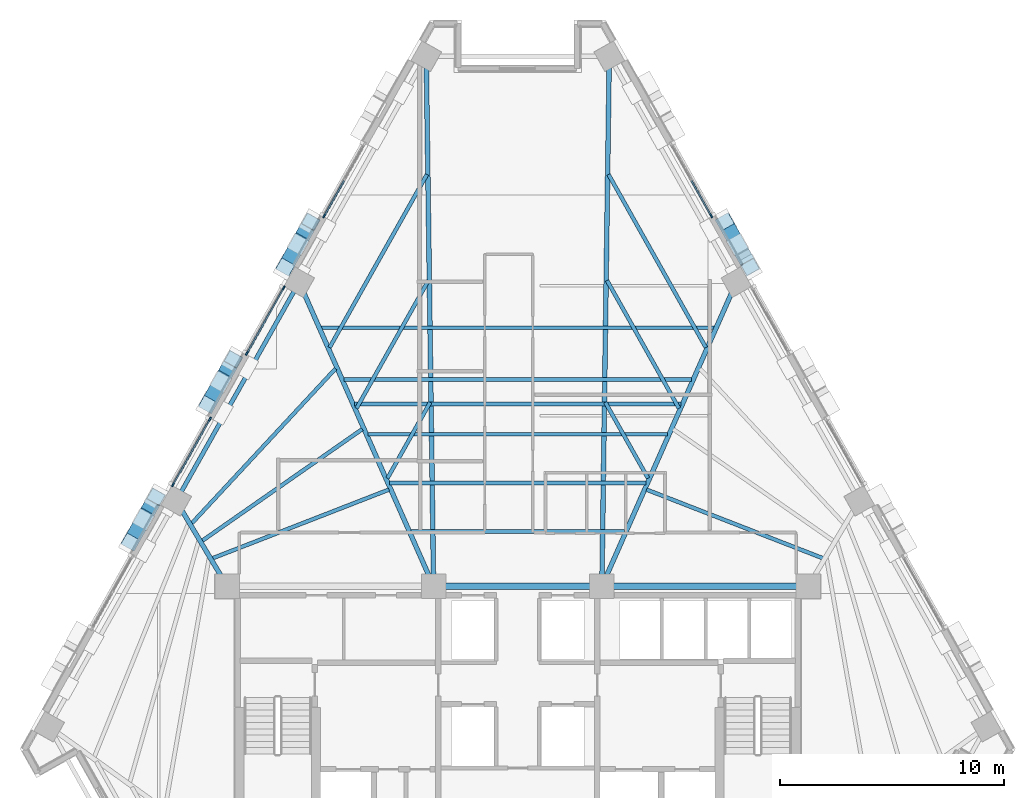
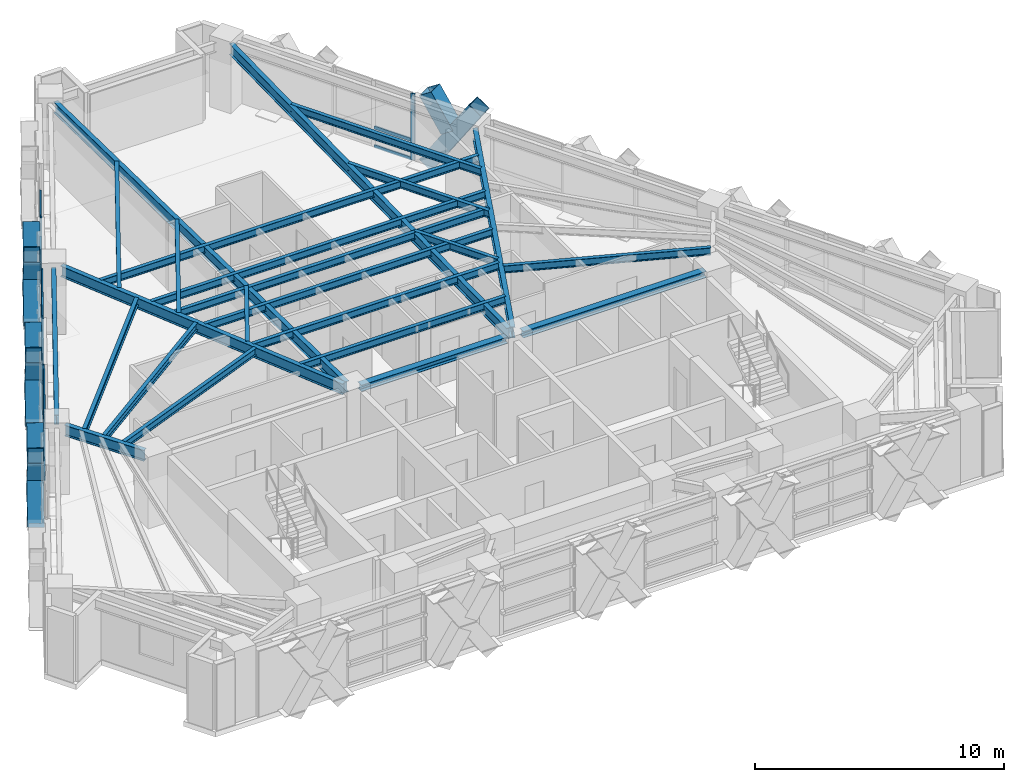
# One storey, part 3 of 14: 28 members, 24 beams, 4 elements without a shape of their own.
"""IFC4 building model written with IfcOpenShell, lengths in metres."""

from ifc_helpers import new_model, si_unit, direction, frame, origin, origin_2d, place, context, subcontext, project, spatial, rectangle, hollow_rectangle, i_section, extrude, material, material_profile, profile_set, type_object, element, aggregate, save


model = new_model("IFC4")

# Units and contexts
model_context = context("Model", 3, precision=1e-05, world=origin(), true_north=direction((0.0, 1.0)))
body_context = subcontext(model_context, "Body", "Model", "MODEL_VIEW")
ifc_project = project(units=[si_unit("LENGTHUNIT", "METRE"), si_unit("AREAUNIT", "SQUARE_METRE"), si_unit("VOLUMEUNIT", "CUBIC_METRE"), si_unit("PLANEANGLEUNIT", "RADIAN"), si_unit("MASSUNIT", "GRAM", prefix="KILO")], contexts=[model_context])

# Site, building, storey
site_placement = place(None, origin())
site = spatial("IfcSite", under=ifc_project, at=site_placement, CompositionType="ELEMENT")
building_placement = place(site_placement, origin())
building = spatial("IfcBuilding", under=site, at=building_placement, Name="Quenlor Broadcast Tower", CompositionType="ELEMENT")
storey_placement = place(building_placement, frame((0.0, 0.0, 144.0)))
storey = spatial("IfcBuildingStorey", under=building, at=storey_placement, Name="L39", CompositionType="ELEMENT", Elevation=144.0)

# Curtain wall, member
ifc_material_1 = material(Name="Architectural Terracotta and Low-E Glazing", Category="masonry")
curtain_wall_type = type_object("IfcCurtainWallType", Name="Unitised Terracotta Curtain Wall System Z3", PredefinedType="NOTDEFINED", material=ifc_material_1)
curtain_wall_1_placement = place(storey_placement, origin())
curtain_wall_1 = element("IfcCurtainWall", 1, at=curtain_wall_1_placement, inside=storey, type_object=curtain_wall_type, Name="L39 Curtain Wall CW3 (L39-NEA-G1)", PredefinedType="NOTDEFINED")
ifc_material_2 = material(Name="Aluminium 6063-T6", Category="aluminium")
ifc_material_profile_1 = material_profile(ifc_material_2, rectangle(XDim=0.070068359375, YDim=0.18994140625, at=origin_2d()))
ifc_profile_set_1 = profile_set([ifc_material_profile_1], Name="Aluminium 6063-T6 MULL70x190")
member_type_1 = type_object("IfcMemberType", Name="CW3 Aluminium Mullion MULL_CW3", PredefinedType="MULLION", material=ifc_profile_set_1)
member_1_placement = place(storey_placement, frame((8.62353515625, 11.71240234375, 0.0), z_axis=(0.0, 0.0, 1.0), x_axis=(0.871570530637, 0.490270139949, 0.0)))
member_1 = element("IfcMember", 2, at=member_1_placement, type_object=member_type_1, Name="CW3 mullion 3", PredefinedType="MULLION", context=body_context, shape_type="SweptSolid", body=[
    extrude(rectangle(XDim=0.070068359375, YDim=0.18994140625, at=origin_2d()), origin(), (0.0, 0.0, 1.0), 3.25),
])

curtain_wall_2_placement = place(storey_placement, origin())
curtain_wall_2 = element("IfcCurtainWall", 3, at=curtain_wall_2_placement, inside=storey, type_object=curtain_wall_type, Name="L39 Curtain Wall CW3 (L39-NWC-G1)", PredefinedType="NOTDEFINED")
member_2_placement = place(storey_placement, frame((-8.62353515625, 11.71240234375, 0.0), z_axis=(0.0, 0.0, 1.0), x_axis=(-0.871570530637, 0.490270139949, 0.0)))
member_2 = element("IfcMember", 4, at=member_2_placement, type_object=member_type_1, Name="CW3 mullion 1", PredefinedType="MULLION", context=body_context, shape_type="SweptSolid", body=[
    extrude(rectangle(XDim=0.070068359375, YDim=0.18994140625, at=origin_2d()), origin(), (0.0, 0.0, 1.0), 3.25),
])

# Curtain wall, members
curtain_wall_3_placement = place(storey_placement, origin())
curtain_wall_3 = element("IfcCurtainWall", 5, at=curtain_wall_3_placement, inside=storey, type_object=curtain_wall_type, Name="L39 Curtain Wall CW3 (L39-NW-G1)", PredefinedType="NOTDEFINED")
member_3_placement = place(storey_placement, frame((-15.365966796875, -0.274169921875, 0.0), z_axis=(0.0, 0.0, 1.0), x_axis=(-0.871571633105, 0.490268180048, 0.0)))
member_3 = element("IfcMember", 6, at=member_3_placement, type_object=member_type_1, Name="CW3 mullion 1", PredefinedType="MULLION", context=body_context, shape_type="SweptSolid", body=[
    extrude(rectangle(XDim=0.070068359375, YDim=0.18994140625, at=origin_2d()), origin(), (0.0, 0.0, 1.0), 3.25),
])
member_4_placement = place(storey_placement, frame((-13.723388671875, 2.64599609375, 0.0), z_axis=(0.0, 0.0, 1.0), x_axis=(-0.871571633105, 0.490268180048, 0.0)))
member_4 = element("IfcMember", 7, at=member_4_placement, type_object=member_type_1, Name="CW3 mullion 2", PredefinedType="MULLION", context=body_context, shape_type="SweptSolid", body=[
    extrude(rectangle(XDim=0.070068359375, YDim=0.18994140625, at=origin_2d()), origin(), (0.0, 0.0, 1.0), 3.25),
])

curtain_wall_4_placement = place(storey_placement, origin())
curtain_wall_4 = element("IfcCurtainWall", 8, at=curtain_wall_4_placement, inside=storey, type_object=curtain_wall_type, Name="L39 Curtain Wall CW3 (L39-NW-G2)", PredefinedType="NOTDEFINED")
member_5_placement = place(storey_placement, frame((-12.071533203125, 5.582275390625, 0.0), z_axis=(0.0, 0.0, 1.0), x_axis=(-0.871578660222, 0.490255687418, 0.0)))
member_5 = element("IfcMember", 9, at=member_5_placement, type_object=member_type_1, Name="CW3 mullion 1", PredefinedType="MULLION", context=body_context, shape_type="SweptSolid", body=[
    extrude(rectangle(XDim=0.070068359375, YDim=0.18994140625, at=origin_2d()), origin(), (0.0, 0.0, 1.0), 3.25),
])
member_6_placement = place(storey_placement, frame((-10.428955078125, 8.50244140625, 0.0), z_axis=(0.0, 0.0, 1.0), x_axis=(-0.871578660222, 0.490255687418, 0.0)))
member_6 = element("IfcMember", 10, at=member_6_placement, type_object=member_type_1, Name="CW3 mullion 2", PredefinedType="MULLION", context=body_context, shape_type="SweptSolid", body=[
    extrude(rectangle(XDim=0.070068359375, YDim=0.18994140625, at=origin_2d()), origin(), (0.0, 0.0, 1.0), 3.25),
])

# Member
ifc_material_3 = material(Name="Aluminium 6063-T6", Category="aluminium")
ifc_material_profile_2 = material_profile(ifc_material_3, rectangle(XDim=0.070068359375, YDim=0.155029296875, at=origin_2d()))
ifc_profile_set_2 = profile_set([ifc_material_profile_2], Name="Aluminium 6063-T6 TRAN70x155")
member_type_2 = type_object("IfcMemberType", Name="CW3 Aluminium Transom TRAN_CW3", PredefinedType="USERDEFINED", material=ifc_profile_set_2)
member_7_placement = place(storey_placement, frame((7.742431640625, 13.278564453125, 0.034912109375), z_axis=(0.490353334151, -0.871523727553, 0.0), x_axis=(0.871523727553, 0.490353334151, 0.0)))
member_7 = element("IfcMember", 11, at=member_7_placement, type_object=member_type_2, Name="CW3 transom 2.1", ObjectType="TRANSOM", PredefinedType="USERDEFINED", context=body_context, shape_type="SweptSolid", body=[
    extrude(rectangle(XDim=0.070068359375, YDim=0.155029296875, at=origin_2d()), origin(), (0.0, 0.0, 1.0), 1.761962890625),
])

member_8_placement = place(storey_placement, frame((7.742431640625, 13.278564453125, 0.949951171875), z_axis=(0.490353334151, -0.871523727553, 0.0), x_axis=(0.871523727553, 0.490353334151, 0.0)))
member_8 = element("IfcMember", 12, at=member_8_placement, type_object=member_type_2, Name="CW3 transom 2.2", ObjectType="TRANSOM", PredefinedType="USERDEFINED", context=body_context, shape_type="SweptSolid", body=[
    extrude(rectangle(XDim=0.070068359375, YDim=0.155029296875, at=origin_2d()), origin(), (0.0, 0.0, 1.0), 1.761962890625),
])

aggregate(curtain_wall_1, [member_1, member_7, member_8])

member_9_placement = place(storey_placement, frame((-8.6064453125, 11.742919921875, 0.034912109375), z_axis=(0.490353334151, 0.871523727553, 0.0), x_axis=(-0.871523727553, 0.490353334151, 0.0)))
member_9 = element("IfcMember", 13, at=member_9_placement, type_object=member_type_2, Name="CW3 transom 1.1", ObjectType="TRANSOM", PredefinedType="USERDEFINED", context=body_context, shape_type="SweptSolid", body=[
    extrude(rectangle(XDim=0.070068359375, YDim=0.155029296875, at=origin_2d()), origin(), (0.0, 0.0, 1.0), 1.761962890625),
])

member_10_placement = place(storey_placement, frame((-8.6064453125, 11.742919921875, 0.949951171875), z_axis=(0.490353334151, 0.871523727553, 0.0), x_axis=(-0.871523727553, 0.490353334151, 0.0)))
member_10 = element("IfcMember", 14, at=member_10_placement, type_object=member_type_2, Name="CW3 transom 1.2", ObjectType="TRANSOM", PredefinedType="USERDEFINED", context=body_context, shape_type="SweptSolid", body=[
    extrude(rectangle(XDim=0.070068359375, YDim=0.155029296875, at=origin_2d()), origin(), (0.0, 0.0, 1.0), 1.761962890625),
])

member_11_placement = place(storey_placement, frame((-8.6064453125, 11.742919921875, 3.215087890625), z_axis=(0.490353334151, 0.871523727553, 0.0), x_axis=(-0.871523727553, 0.490353334151, 0.0)))
member_11 = element("IfcMember", 15, at=member_11_placement, type_object=member_type_2, Name="CW3 transom 1.3", ObjectType="TRANSOM", PredefinedType="USERDEFINED", context=body_context, shape_type="SweptSolid", body=[
    extrude(rectangle(XDim=0.070068359375, YDim=0.155029296875, at=origin_2d()), origin(), (0.0, 0.0, 1.0), 1.761962890625),
])

aggregate(curtain_wall_2, [member_2, member_9, member_10, member_11])

member_12_placement = place(storey_placement, frame((-15.348876953125, -0.24365234375, 0.034912109375), z_axis=(0.490293039863, 0.871557648731, 0.0), x_axis=(-0.871557648731, 0.490293039863, 0.0)))
member_12 = element("IfcMember", 16, at=member_12_placement, type_object=member_type_2, Name="CW3 transom 1.1", ObjectType="TRANSOM", PredefinedType="USERDEFINED", context=body_context, shape_type="SweptSolid", body=[
    extrude(rectangle(XDim=0.070068359375, YDim=0.155029296875, at=origin_2d()), origin(), (0.0, 0.0, 1.0), 3.280517578125),
])

member_13_placement = place(storey_placement, frame((-15.348876953125, -0.24365234375, 0.949951171875), z_axis=(0.490293039863, 0.871557648731, 0.0), x_axis=(-0.871557648731, 0.490293039863, 0.0)))
member_13 = element("IfcMember", 17, at=member_13_placement, type_object=member_type_2, Name="CW3 transom 1.2", ObjectType="TRANSOM", PredefinedType="USERDEFINED", context=body_context, shape_type="SweptSolid", body=[
    extrude(rectangle(XDim=0.070068359375, YDim=0.155029296875, at=origin_2d()), origin(), (0.0, 0.0, 1.0), 3.280517578125),
])

member_14_placement = place(storey_placement, frame((-15.348876953125, -0.24365234375, 3.215087890625), z_axis=(0.490293039863, 0.871557648731, 0.0), x_axis=(-0.871557648731, 0.490293039863, 0.0)))
member_14 = element("IfcMember", 18, at=member_14_placement, type_object=member_type_2, Name="CW3 transom 1.3", ObjectType="TRANSOM", PredefinedType="USERDEFINED", context=body_context, shape_type="SweptSolid", body=[
    extrude(rectangle(XDim=0.070068359375, YDim=0.155029296875, at=origin_2d()), origin(), (0.0, 0.0, 1.0), 3.280517578125),
])

aggregate(curtain_wall_3, [member_3, member_4, member_12, member_13, member_14])

member_15_placement = place(storey_placement, frame((-12.054443359375, 5.61279296875, 0.034912109375), z_axis=(0.490236504766, 0.871589450025, 0.0), x_axis=(-0.871589450025, 0.490236504766, 0.0)))
member_15 = element("IfcMember", 19, at=member_15_placement, type_object=member_type_2, Name="CW3 transom 1.1", ObjectType="TRANSOM", PredefinedType="USERDEFINED", context=body_context, shape_type="SweptSolid", body=[
    extrude(rectangle(XDim=0.070068359375, YDim=0.155029296875, at=origin_2d()), origin(), (0.0, 0.0, 1.0), 3.2802734375),
])

member_16_placement = place(storey_placement, frame((-12.054443359375, 5.61279296875, 0.949951171875), z_axis=(0.490236504766, 0.871589450025, 0.0), x_axis=(-0.871589450025, 0.490236504766, 0.0)))
member_16 = element("IfcMember", 20, at=member_16_placement, type_object=member_type_2, Name="CW3 transom 1.2", ObjectType="TRANSOM", PredefinedType="USERDEFINED", context=body_context, shape_type="SweptSolid", body=[
    extrude(rectangle(XDim=0.070068359375, YDim=0.155029296875, at=origin_2d()), origin(), (0.0, 0.0, 1.0), 3.2802734375),
])

member_17_placement = place(storey_placement, frame((-12.054443359375, 5.61279296875, 3.215087890625), z_axis=(0.490236504766, 0.871589450025, 0.0), x_axis=(-0.871589450025, 0.490236504766, 0.0)))
member_17 = element("IfcMember", 21, at=member_17_placement, type_object=member_type_2, Name="CW3 transom 1.3", ObjectType="TRANSOM", PredefinedType="USERDEFINED", context=body_context, shape_type="SweptSolid", body=[
    extrude(rectangle(XDim=0.070068359375, YDim=0.155029296875, at=origin_2d()), origin(), (0.0, 0.0, 1.0), 3.2802734375),
])

aggregate(curtain_wall_4, [member_5, member_6, member_15, member_16, member_17])

# Beams
ifc_material_4 = material(Name="Steel S355", Category="steel")
ifc_material_profile_3 = material_profile(ifc_material_4, i_section(OverallWidth=0.304931640625, OverallDepth=0.30810546875, WebThickness=0.010009765625, FlangeThickness=0.015380859375, FilletRadius=0.0166015625, at=origin_2d()))
ifc_profile_set_3 = profile_set([ifc_material_profile_3], Name="Steel S355 310UC96.8")
beam_type_1 = type_object("IfcBeamType", Name="Core Header Beam Steel S355 310UC96.8", PredefinedType="BEAM", material=ifc_profile_set_3)
beam_1_placement = place(storey_placement, frame((-3.389892578125, -4.800048828125, 3.095947265625), z_axis=(1.0, 0.0, 0.0), x_axis=(0.0, 1.0, 0.0)))
element("IfcBeam", 22, at=beam_1_placement, inside=storey, type_object=beam_type_1, Name="L39 Core Header Beam 2", PredefinedType="BEAM", context=body_context, shape_type="SweptSolid", body=[
    extrude(i_section(OverallWidth=0.304931640625, OverallDepth=0.30810546875, WebThickness=0.010009765625, FlangeThickness=0.015380859375, FilletRadius=0.0166015625, at=origin_2d()), origin(), (0.0, 0.0, 1.0), 6.77978515625),
])
ifc_material_5 = material(Name="Steel S355", Category="steel")
ifc_material_profile_4 = material_profile(ifc_material_5, i_section(OverallWidth=0.306884765625, OverallDepth=0.314697265625, WebThickness=0.011962890625, FlangeThickness=0.018798828125, FilletRadius=0.0166015625, at=origin_2d()))
ifc_profile_set_4 = profile_set([ifc_material_profile_4], Name="Steel S355 310UC118")
beam_type_2 = type_object("IfcBeamType", Name="Core Tie Beam Steel S355 310UC118", PredefinedType="BEAM", material=ifc_profile_set_4)
beam_2_placement = place(storey_placement, frame((4.110107421875, -4.800048828125, 3.0927734375), z_axis=(1.0, 0.0, 0.0), x_axis=(0.0, 1.0, 0.0)))
element("IfcBeam", 23, at=beam_2_placement, inside=storey, type_object=beam_type_2, Name="L39 Core Tie Beam 3", PredefinedType="BEAM", context=body_context, shape_type="SweptSolid", body=[
    extrude(i_section(OverallWidth=0.306884765625, OverallDepth=0.314697265625, WebThickness=0.011962890625, FlangeThickness=0.018798828125, FilletRadius=0.0166015625, at=origin_2d()), origin(), (0.0, 0.0, 1.0), 8.47998046875),
])

# Members
ifc_material_6 = material(Name="Steel S355", Category="steel")
ifc_material_profile_5 = material_profile(ifc_material_6, hollow_rectangle(XDim=0.679931640625, YDim=0.679931640625, WallThickness=0.02490234375, at=origin_2d()))
ifc_profile_set_5 = profile_set([ifc_material_profile_5], Name="Steel S355 RHS680x680x25")
member_type_3 = type_object("IfcMemberType", Name="Perimeter Diagonal Lattice Brace Z3-Z4 Steel S355 RHS680x25", PredefinedType="BRACE", material=ifc_profile_set_5)
member_18_placement = place(storey_placement, frame((9.225830078125, 11.447265625, -0.1201171875), z_axis=(0.27060310517, -0.481001091283, 0.833913610428), x_axis=(0.871544572467, 0.490316283845, 0.0)))
element("IfcMember", 24, at=member_18_placement, inside=storey, type_object=member_type_3, Name="L39 Perimeter Diamond Lattice NE-C2XA", PredefinedType="BRACE", context=body_context, shape_type="SweptSolid", body=[
    extrude(hollow_rectangle(XDim=0.679931640625, YDim=0.679931640625, WallThickness=0.02490234375, at=origin_2d()), origin(), (0.0, 0.0, 1.0), 4.197021484375),
])
member_19_placement = place(storey_placement, frame((9.72607421875, 10.55810546875, 1.83837890625), z_axis=(-0.270616433058, 0.481007832697, 0.833905396938), x_axis=(-0.871537189362, -0.490329407194, 0.0)))
element("IfcMember", 25, at=member_19_placement, inside=storey, type_object=member_type_3, Name="L39 Perimeter Diamond Lattice NE-C2XB2", PredefinedType="BRACE", context=body_context, shape_type="SweptSolid", body=[
    extrude(hollow_rectangle(XDim=0.679931640625, YDim=0.679931640625, WallThickness=0.02490234375, at=origin_2d()), origin(), (0.0, 0.0, 1.0), 1.8486328125),
])
member_20_placement = place(storey_placement, frame((-17.257568359375, -2.83154296875, -0.1201171875), z_axis=(0.2705491942, 0.481008661973, 0.833926735766), x_axis=(-0.871589611547, 0.490236217596, 0.0)))
element("IfcMember", 26, at=member_20_placement, inside=storey, type_object=member_type_3, Name="L39 Perimeter Diamond Lattice NW-C2XA", PredefinedType="BRACE", context=body_context, shape_type="SweptSolid", body=[
    extrude(hollow_rectangle(XDim=0.679931640625, YDim=0.679931640625, WallThickness=0.02490234375, at=origin_2d()), origin(), (0.0, 0.0, 1.0), 4.197021484375),
])
member_21_placement = place(storey_placement, frame((-16.1220703125, -0.812744140625, -0.1201171875), z_axis=(-0.270616433058, -0.481007832697, 0.833905396938), x_axis=(0.871537189362, -0.490329407194, 0.0)))
element("IfcMember", 27, at=member_21_placement, inside=storey, type_object=member_type_3, Name="L39 Perimeter Diamond Lattice NW-C2XB1", PredefinedType="BRACE", context=body_context, shape_type="SweptSolid", body=[
    extrude(hollow_rectangle(XDim=0.679931640625, YDim=0.679931640625, WallThickness=0.02490234375, at=origin_2d()), origin(), (0.0, 0.0, 1.0), 1.8486328125),
])
member_22_placement = place(storey_placement, frame((-16.757568359375, -1.9423828125, 1.83837890625), z_axis=(-0.270494026149, -0.481025021111, 0.833935195853), x_axis=(0.871639445711, -0.490147607034, 0.0)))
element("IfcMember", 28, at=member_22_placement, inside=storey, type_object=member_type_3, Name="L39 Perimeter Diamond Lattice NW-C2XB2", PredefinedType="BRACE", context=body_context, shape_type="SweptSolid", body=[
    extrude(hollow_rectangle(XDim=0.679931640625, YDim=0.679931640625, WallThickness=0.02490234375, at=origin_2d()), origin(), (0.0, 0.0, 1.0), 1.848388671875),
])
member_23_placement = place(storey_placement, frame((-13.8095703125, 3.298583984375, -0.1201171875), z_axis=(0.270556764115, 0.480963948764, 0.833950068878), x_axis=(-0.871564276035, 0.49028125881, 0.0)))
element("IfcMember", 29, at=member_23_placement, inside=storey, type_object=member_type_3, Name="L39 Perimeter Diamond Lattice NW-C3XA", PredefinedType="BRACE", context=body_context, shape_type="SweptSolid", body=[
    extrude(hollow_rectangle(XDim=0.679931640625, YDim=0.679931640625, WallThickness=0.02490234375, at=origin_2d()), origin(), (0.0, 0.0, 1.0), 4.19677734375),
])
member_24_placement = place(storey_placement, frame((-12.674072265625, 5.317138671875, -0.1201171875), z_axis=(-0.270616433058, -0.481007832697, 0.833905396938), x_axis=(0.871537189362, -0.490329407194, 0.0)))
element("IfcMember", 30, at=member_24_placement, inside=storey, type_object=member_type_3, Name="L39 Perimeter Diamond Lattice NW-C3XB1", PredefinedType="BRACE", context=body_context, shape_type="SweptSolid", body=[
    extrude(hollow_rectangle(XDim=0.679931640625, YDim=0.679931640625, WallThickness=0.02490234375, at=origin_2d()), origin(), (0.0, 0.0, 1.0), 1.8486328125),
])
member_25_placement = place(storey_placement, frame((-13.309326171875, 4.1875, 1.83837890625), z_axis=(-0.270633624024, -0.480906307989, 0.833958370954), x_axis=(0.871479637717, -0.49043168846, 0.0)))
element("IfcMember", 31, at=member_25_placement, inside=storey, type_object=member_type_3, Name="L39 Perimeter Diamond Lattice NW-C3XB2", PredefinedType="BRACE", context=body_context, shape_type="SweptSolid", body=[
    extrude(hollow_rectangle(XDim=0.679931640625, YDim=0.679931640625, WallThickness=0.02490234375, at=origin_2d()), origin(), (0.0, 0.0, 1.0), 1.848388671875),
])
member_26_placement = place(storey_placement, frame((-10.361572265625, 9.428466796875, -0.1201171875), z_axis=(0.27060310517, 0.481001091283, 0.833913610428), x_axis=(-0.871544572467, 0.490316283845, 0.0)))
element("IfcMember", 32, at=member_26_placement, inside=storey, type_object=member_type_3, Name="L39 Perimeter Diamond Lattice NW-C4XA", PredefinedType="BRACE", context=body_context, shape_type="SweptSolid", body=[
    extrude(hollow_rectangle(XDim=0.679931640625, YDim=0.679931640625, WallThickness=0.02490234375, at=origin_2d()), origin(), (0.0, 0.0, 1.0), 4.197021484375),
])
member_27_placement = place(storey_placement, frame((-9.225830078125, 11.447265625, -0.1201171875), z_axis=(-0.270616433058, -0.481007832697, 0.833905396938), x_axis=(0.871537189362, -0.490329407194, 0.0)))
element("IfcMember", 33, at=member_27_placement, inside=storey, type_object=member_type_3, Name="L39 Perimeter Diamond Lattice NW-C4XB1", PredefinedType="BRACE", context=body_context, shape_type="SweptSolid", body=[
    extrude(hollow_rectangle(XDim=0.679931640625, YDim=0.679931640625, WallThickness=0.02490234375, at=origin_2d()), origin(), (0.0, 0.0, 1.0), 1.8486328125),
])
member_28_placement = place(storey_placement, frame((-9.861328125, 10.3173828125, 1.83837890625), z_axis=(-0.270633624024, -0.480906307989, 0.833958370954), x_axis=(0.871479637717, -0.49043168846, 0.0)))
element("IfcMember", 34, at=member_28_placement, inside=storey, type_object=member_type_3, Name="L39 Perimeter Diamond Lattice NW-C4XB2", PredefinedType="BRACE", context=body_context, shape_type="SweptSolid", body=[
    extrude(hollow_rectangle(XDim=0.679931640625, YDim=0.679931640625, WallThickness=0.02490234375, at=origin_2d()), origin(), (0.0, 0.0, 1.0), 1.848388671875),
])

# Beams
ifc_material_7 = material(Name="Steel S355", Category="steel")
ifc_material_profile_6 = material_profile(ifc_material_7, i_section(OverallWidth=0.19091796875, OverallDepth=0.46044921875, WebThickness=0.010009765625, FlangeThickness=0.01611328125, FilletRadius=0.011474609375, at=origin_2d()))
ifc_profile_set_6 = profile_set([ifc_material_profile_6], Name="Steel S355 460UB82.1")
beam_type_3 = type_object("IfcBeamType", Name="Perimeter Spandrel Beam Z3 Steel S355 460UB82.1", PredefinedType="SPANDREL", material=ifc_profile_set_6)
beam_3_placement = place(storey_placement, frame((-9.944091796875, 8.39599609375, 3.019775390625), z_axis=(-0.490252288562, -0.871580572041, 0.0), x_axis=(0.871580572041, -0.490252288562, 0.0)))
element("IfcBeam", 35, at=beam_3_placement, inside=storey, type_object=beam_type_3, Name="L39 Spandrel Beam NW2-NW3", PredefinedType="SPANDREL", context=body_context, shape_type="SweptSolid", body=[
    extrude(i_section(OverallWidth=0.19091796875, OverallDepth=0.46044921875, WebThickness=0.010009765625, FlangeThickness=0.01611328125, FilletRadius=0.011474609375, at=origin_2d()), origin(), (0.0, 0.0, 1.0), 10.359619140625),
])
ifc_material_8 = material(Name="Steel S355", Category="steel")
ifc_material_profile_7 = material_profile(ifc_material_8, i_section(OverallWidth=0.172119140625, OverallDepth=0.358642578125, WebThickness=0.008056640625, FlangeThickness=0.012939453125, FilletRadius=0.011474609375, at=origin_2d()))
ifc_profile_set_7 = profile_set([ifc_material_profile_7], Name="Steel S355 360UB56.7")
beam_type_4 = type_object("IfcBeamType", Name="Tower Composite Joist Z2-Z3 Steel S355 360UB56.7", PredefinedType="JOIST", material=ifc_profile_set_7)
beam_4_placement = place(storey_placement, frame((-4.748779296875, -2.3603515625, 3.07080078125), z_axis=(1.0, 0.0, 0.0), x_axis=(0.0, 1.0, 0.0)))
element("IfcBeam", 36, at=beam_4_placement, inside=storey, type_object=beam_type_4, Name="L39 Secondary Composite Joist 1", PredefinedType="JOIST", context=body_context, shape_type="SweptSolid", body=[
    extrude(i_section(OverallWidth=0.172119140625, OverallDepth=0.358642578125, WebThickness=0.008056640625, FlangeThickness=0.012939453125, FilletRadius=0.011474609375, at=origin_2d()), origin(), (0.0, 0.0, 1.0), 9.49755859375),
])
beam_5_placement = place(storey_placement, frame((-7.265869140625, 3.33203125, 3.07080078125), z_axis=(1.0, 0.0, 0.0), x_axis=(0.0, 1.0, 0.0)))
element("IfcBeam", 37, at=beam_5_placement, inside=storey, type_object=beam_type_4, Name="L39 Secondary Composite Joist 2", PredefinedType="JOIST", context=body_context, shape_type="SweptSolid", body=[
    extrude(i_section(OverallWidth=0.172119140625, OverallDepth=0.358642578125, WebThickness=0.008056640625, FlangeThickness=0.012939453125, FilletRadius=0.011474609375, at=origin_2d()), origin(), (0.0, 0.0, 1.0), 14.53173828125),
])
beam_6_placement = place(storey_placement, frame((-5.70751953125, -0.19189453125, 3.07080078125), z_axis=(1.0, 0.0, 0.0), x_axis=(0.0, 1.0, 0.0)))
element("IfcBeam", 38, at=beam_6_placement, inside=storey, type_object=beam_type_4, Name="L39 Secondary Composite Joist 3", PredefinedType="JOIST", context=body_context, shape_type="SweptSolid", body=[
    extrude(i_section(OverallWidth=0.172119140625, OverallDepth=0.358642578125, WebThickness=0.008056640625, FlangeThickness=0.012939453125, FilletRadius=0.011474609375, at=origin_2d()), origin(), (0.0, 0.0, 1.0), 11.4150390625),
])
beam_7_placement = place(storey_placement, frame((-6.66650390625, 1.976806640625, 3.07080078125), z_axis=(1.0, 0.0, 0.0), x_axis=(0.0, 1.0, 0.0)))
element("IfcBeam", 39, at=beam_7_placement, inside=storey, type_object=beam_type_4, Name="L39 Secondary Composite Joist 4", PredefinedType="JOIST", context=body_context, shape_type="SweptSolid", body=[
    extrude(i_section(OverallWidth=0.172119140625, OverallDepth=0.358642578125, WebThickness=0.008056640625, FlangeThickness=0.012939453125, FilletRadius=0.011474609375, at=origin_2d()), origin(), (0.0, 0.0, 1.0), 13.3330078125),
])
beam_8_placement = place(storey_placement, frame((-7.7451171875, 4.416259765625, 3.07080078125), z_axis=(1.0, 0.0, 0.0), x_axis=(0.0, 1.0, 0.0)))
element("IfcBeam", 40, at=beam_8_placement, inside=storey, type_object=beam_type_4, Name="L39 Secondary Composite Joist 5", PredefinedType="JOIST", context=body_context, shape_type="SweptSolid", body=[
    extrude(i_section(OverallWidth=0.172119140625, OverallDepth=0.358642578125, WebThickness=0.008056640625, FlangeThickness=0.012939453125, FilletRadius=0.011474609375, at=origin_2d()), origin(), (0.0, 0.0, 1.0), 15.490234375),
])
beam_9_placement = place(storey_placement, frame((-8.763916015625, 6.72021484375, 3.07080078125), z_axis=(1.0, 0.0, 0.0), x_axis=(0.0, 1.0, 0.0)))
element("IfcBeam", 41, at=beam_9_placement, inside=storey, type_object=beam_type_4, Name="L39 Secondary Composite Joist 6", PredefinedType="JOIST", context=body_context, shape_type="SweptSolid", body=[
    extrude(i_section(OverallWidth=0.172119140625, OverallDepth=0.358642578125, WebThickness=0.008056640625, FlangeThickness=0.012939453125, FilletRadius=0.011474609375, at=origin_2d()), origin(), (0.0, 0.0, 1.0), 17.52783203125),
])
beam_10_placement = place(storey_placement, frame((-13.60302734375, -3.552001953125, 3.07080078125), z_axis=(0.931881865797, 0.362761889121, 0.0), x_axis=(-0.362761889121, 0.931881865797, 0.0)))
element("IfcBeam", 42, at=beam_10_placement, inside=storey, type_object=beam_type_4, Name="L39 Secondary Composite Joist 7", PredefinedType="JOIST", context=body_context, shape_type="SweptSolid", body=[
    extrude(i_section(OverallWidth=0.172119140625, OverallDepth=0.358642578125, WebThickness=0.008056640625, FlangeThickness=0.012939453125, FilletRadius=0.011474609375, at=origin_2d()), origin(), (0.0, 0.0, 1.0), 8.435546875),
])
beam_11_placement = place(storey_placement, frame((-14.06689453125, -2.7734375, 3.07080078125), z_axis=(0.82026568394, 0.57198269882, 0.0), x_axis=(-0.57198269882, 0.82026568394, 0.0)))
element("IfcBeam", 43, at=beam_11_placement, inside=storey, type_object=beam_type_4, Name="L39 Secondary Composite Joist 8", PredefinedType="JOIST", context=body_context, shape_type="SweptSolid", body=[
    extrude(i_section(OverallWidth=0.172119140625, OverallDepth=0.358642578125, WebThickness=0.008056640625, FlangeThickness=0.012939453125, FilletRadius=0.011474609375, at=origin_2d()), origin(), (0.0, 0.0, 1.0), 8.698486328125),
])
beam_12_placement = place(storey_placement, frame((-14.53271484375, -1.998779296875, 3.07080078125), z_axis=(0.680873505991, 0.732401030065, 0.0), x_axis=(-0.732401030065, 0.680873505991, 0.0)))
element("IfcBeam", 44, at=beam_12_placement, inside=storey, type_object=beam_type_4, Name="L39 Secondary Composite Joist 9", PredefinedType="JOIST", context=body_context, shape_type="SweptSolid", body=[
    extrude(i_section(OverallWidth=0.172119140625, OverallDepth=0.358642578125, WebThickness=0.008056640625, FlangeThickness=0.012939453125, FilletRadius=0.011474609375, at=origin_2d()), origin(), (0.0, 0.0, 1.0), 9.419189453125),
])
beam_13_placement = place(storey_placement, frame((13.60302734375, -3.552001953125, 3.07080078125), z_axis=(-0.931881865797, 0.362761889121, 0.0), x_axis=(-0.362761889121, -0.931881865797, 0.0)))
element("IfcBeam", 45, at=beam_13_placement, inside=storey, type_object=beam_type_4, Name="L39 Secondary Composite Joist 10", PredefinedType="JOIST", context=body_context, shape_type="SweptSolid", body=[
    extrude(i_section(OverallWidth=0.172119140625, OverallDepth=0.358642578125, WebThickness=0.008056640625, FlangeThickness=0.012939453125, FilletRadius=0.011474609375, at=origin_2d()), origin(), (0.0, 0.0, 1.0), 8.435546875),
])
beam_14_placement = place(storey_placement, frame((-3.904541015625, 3.39794921875, 3.07080078125), z_axis=(-0.49026422458, -0.871573858085, 0.0), x_axis=(0.871573858085, -0.49026422458, 0.0)))
element("IfcBeam", 46, at=beam_14_placement, inside=storey, type_object=beam_type_4, Name="L39 Secondary Composite Joist 25", PredefinedType="JOIST", context=body_context, shape_type="SweptSolid", body=[
    extrude(i_section(OverallWidth=0.172119140625, OverallDepth=0.358642578125, WebThickness=0.008056640625, FlangeThickness=0.012939453125, FilletRadius=0.011474609375, at=origin_2d()), origin(), (0.0, 0.0, 1.0), 3.88330078125),
])
beam_15_placement = place(storey_placement, frame((-3.980224609375, 8.8310546875, 3.07080078125), z_axis=(-0.490266556378, -0.871572546434, 0.0), x_axis=(0.871572546434, -0.490266556378, 0.0)))
element("IfcBeam", 47, at=beam_15_placement, inside=storey, type_object=beam_type_4, Name="L39 Secondary Composite Joist 26", PredefinedType="JOIST", context=body_context, shape_type="SweptSolid", body=[
    extrude(i_section(OverallWidth=0.172119140625, OverallDepth=0.358642578125, WebThickness=0.008056640625, FlangeThickness=0.012939453125, FilletRadius=0.011474609375, at=origin_2d()), origin(), (0.0, 0.0, 1.0), 6.54052734375),
])
beam_16_placement = place(storey_placement, frame((-4.046142578125, 13.555419921875, 3.07080078125), z_axis=(-0.490254691431, -0.871579220455, 0.0), x_axis=(0.871579220455, -0.490254691431, 0.0)))
element("IfcBeam", 48, at=beam_16_placement, inside=storey, type_object=beam_type_4, Name="L39 Secondary Composite Joist 27", PredefinedType="JOIST", context=body_context, shape_type="SweptSolid", body=[
    extrude(i_section(OverallWidth=0.172119140625, OverallDepth=0.358642578125, WebThickness=0.008056640625, FlangeThickness=0.012939453125, FilletRadius=0.011474609375, at=origin_2d()), origin(), (0.0, 0.0, 1.0), 8.850830078125),
])
beam_17_placement = place(storey_placement, frame((3.904541015625, 3.39794921875, 3.07080078125), z_axis=(0.49026422458, -0.871573858085, 0.0), x_axis=(0.871573858085, 0.49026422458, 0.0)))
element("IfcBeam", 49, at=beam_17_placement, inside=storey, type_object=beam_type_4, Name="L39 Secondary Composite Joist 28", PredefinedType="JOIST", context=body_context, shape_type="SweptSolid", body=[
    extrude(i_section(OverallWidth=0.172119140625, OverallDepth=0.358642578125, WebThickness=0.008056640625, FlangeThickness=0.012939453125, FilletRadius=0.011474609375, at=origin_2d()), origin(), (0.0, 0.0, 1.0), 3.88330078125),
])
beam_18_placement = place(storey_placement, frame((3.980224609375, 8.8310546875, 3.07080078125), z_axis=(0.490266556378, -0.871572546434, 0.0), x_axis=(0.871572546434, 0.490266556378, 0.0)))
element("IfcBeam", 50, at=beam_18_placement, inside=storey, type_object=beam_type_4, Name="L39 Secondary Composite Joist 29", PredefinedType="JOIST", context=body_context, shape_type="SweptSolid", body=[
    extrude(i_section(OverallWidth=0.172119140625, OverallDepth=0.358642578125, WebThickness=0.008056640625, FlangeThickness=0.012939453125, FilletRadius=0.011474609375, at=origin_2d()), origin(), (0.0, 0.0, 1.0), 6.54052734375),
])
beam_19_placement = place(storey_placement, frame((4.046142578125, 13.555419921875, 3.07080078125), z_axis=(0.490254691431, -0.871579220455, 0.0), x_axis=(0.871579220455, 0.490254691431, 0.0)))
element("IfcBeam", 51, at=beam_19_placement, inside=storey, type_object=beam_type_4, Name="L39 Secondary Composite Joist 30", PredefinedType="JOIST", context=body_context, shape_type="SweptSolid", body=[
    extrude(i_section(OverallWidth=0.172119140625, OverallDepth=0.358642578125, WebThickness=0.008056640625, FlangeThickness=0.012939453125, FilletRadius=0.011474609375, at=origin_2d()), origin(), (0.0, 0.0, 1.0), 8.850830078125),
])
ifc_material_9 = material(Name="Steel S355", Category="steel")
ifc_material_profile_8 = material_profile(ifc_material_9, i_section(OverallWidth=0.208984375, OverallDepth=0.532958984375, WebThickness=0.01025390625, FlangeThickness=0.015625, FilletRadius=0.013916015625, at=origin_2d()))
ifc_profile_set_8 = profile_set([ifc_material_profile_8], Name="Steel S355 530UB92.4")
beam_type_5 = type_object("IfcBeamType", Name="Tower Primary Floor Beam Z3 Steel S355 530UB92.4", PredefinedType="BEAM", material=ifc_profile_set_8)
beam_20_placement = place(storey_placement, frame((9.5771484375, 8.37841796875, 2.9833984375), z_axis=(-0.404397129794, -0.914583490675, 0.0), x_axis=(0.914583490675, -0.404397129794, 0.0)))
element("IfcBeam", 52, at=beam_20_placement, inside=storey, type_object=beam_type_5, Name="L39 Primary Radial Beam NE3", PredefinedType="BEAM", context=body_context, shape_type="SweptSolid", body=[
    extrude(i_section(OverallWidth=0.208984375, OverallDepth=0.532958984375, WebThickness=0.01025390625, FlangeThickness=0.015625, FilletRadius=0.013916015625, at=origin_2d()), origin(), (0.0, 0.0, 1.0), 14.029052734375),
])
for number, where, z_axis, x_axis, name in (
    (53, (4.073486328125, 18.412109375, 2.9833984375), (-0.013931496433, -0.999902951994, 0.0), (0.999902951994, -0.013931496433, 0.0), "L39 Primary Radial Beam NE4"),
    (54, (-4.073486328125, 18.412109375, 2.9833984375), (0.013931496433, -0.999902951994, 0.0), (0.999902951994, 0.013931496433, 0.0), "L39 Primary Radial Beam NW1"),
):
    element("IfcBeam", number, at=place(storey_placement, frame(where, z_axis=z_axis, x_axis=x_axis)), inside=storey, type_object=beam_type_5, Name=name, PredefinedType="BEAM", context=body_context, shape_type="SweptSolid", body=[
        extrude(i_section(OverallWidth=0.208984375, OverallDepth=0.532958984375, WebThickness=0.01025390625, FlangeThickness=0.015625, FilletRadius=0.013916015625, at=origin_2d()), origin(), (0.0, 0.0, 1.0), 22.834228515625),
    ])
beam_21_placement = place(storey_placement, frame((-9.5771484375, 8.37841796875, 2.9833984375), z_axis=(0.404397129794, -0.914583490675, 0.0), x_axis=(0.914583490675, 0.404397129794, 0.0)))
element("IfcBeam", 55, at=beam_21_placement, inside=storey, type_object=beam_type_5, Name="L39 Primary Radial Beam NW2", PredefinedType="BEAM", context=body_context, shape_type="SweptSolid", body=[
    extrude(i_section(OverallWidth=0.208984375, OverallDepth=0.532958984375, WebThickness=0.01025390625, FlangeThickness=0.015625, FilletRadius=0.013916015625, at=origin_2d()), origin(), (0.0, 0.0, 1.0), 14.029052734375),
])
beam_22_placement = place(storey_placement, frame((-15.013916015625, -1.3427734375, 2.9833984375), z_axis=(0.512604023694, -0.858625130597, 0.0), x_axis=(0.858625130597, 0.512604023694, 0.0)))
element("IfcBeam", 56, at=beam_22_placement, inside=storey, type_object=beam_type_5, Name="L39 Primary Radial Beam NW3", PredefinedType="BEAM", context=body_context, shape_type="SweptSolid", body=[
    extrude(i_section(OverallWidth=0.208984375, OverallDepth=0.532958984375, WebThickness=0.01025390625, FlangeThickness=0.015625, FilletRadius=0.013916015625, at=origin_2d()), origin(), (0.0, 0.0, 1.0), 3.646484375),
])

save(model, "model.ifc")
